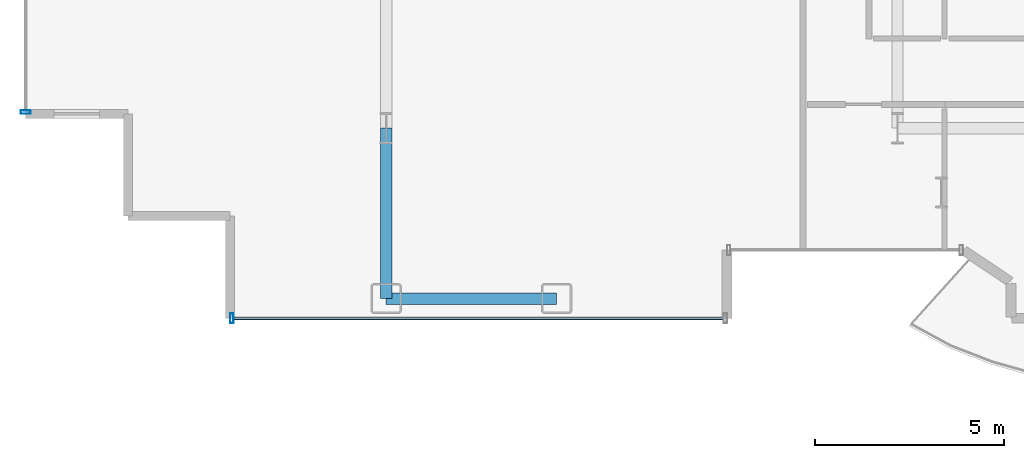
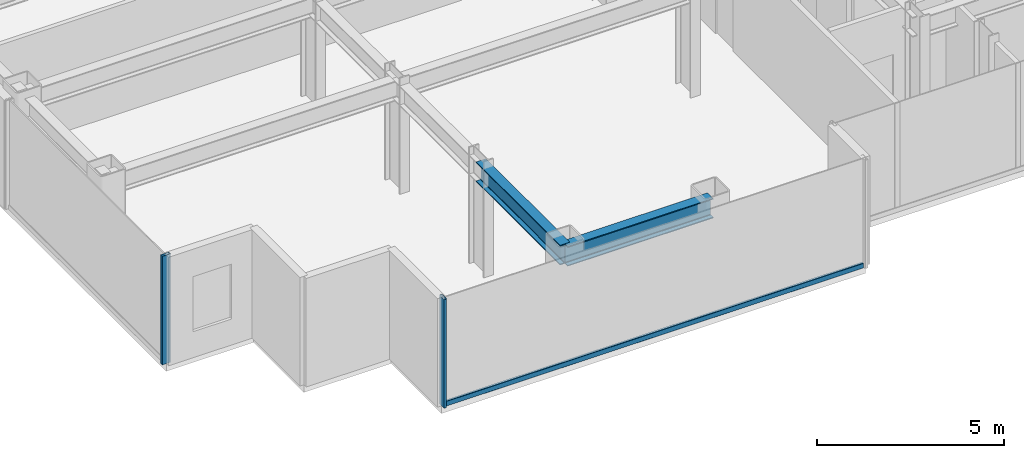
# One storey, part 3 of 25: 3 members, 2 beams, 2 elements without a shape of their own.
"""IFC4 building model written with IfcOpenShell, lengths in metres."""

from ifc_helpers import new_model, si_unit, direction, frame, origin, origin_2d, place, context, subcontext, project, spatial, hollow_rectangle, i_section, extrude, source, transform, mapped, material, layer, layer_set, material_profile, profile_set, type_object, element, aggregate, save


model = new_model("IFC4")

# Units and contexts
model_context = context("Model", 3, precision=1e-05, world=origin(), true_north=direction((0.0, 1.0)))
body_context = subcontext(model_context, "Body", "Model", "MODEL_VIEW")
ifc_project = project(units=[si_unit("LENGTHUNIT", "METRE"), si_unit("AREAUNIT", "SQUARE_METRE"), si_unit("VOLUMEUNIT", "CUBIC_METRE"), si_unit("PLANEANGLEUNIT", "RADIAN"), si_unit("MASSUNIT", "GRAM", prefix="KILO")], contexts=[model_context])

# Site, building, storey
site_placement = place(None, origin())
site = spatial("IfcSite", under=ifc_project, at=site_placement, CompositionType="ELEMENT")
building_placement = place(site_placement, origin())
building = spatial("IfcBuilding", under=site, at=building_placement, Name="Nefas-Gora Pilgrimage Tower", CompositionType="ELEMENT")
storey_placement = place(building_placement, frame((0.0, 0.0, 194.39990234375)))
storey = spatial("IfcBuildingStorey", under=building, at=storey_placement, Name="L48", CompositionType="ELEMENT", Elevation=194.39990234375)

# Beams
ifc_material_1 = material(Name="Steel S355", Category="steel")
ifc_material_profile_1 = material_profile(ifc_material_1, i_section(OverallWidth=0.300048828125, OverallDepth=0.64990234375, WebThickness=0.01611328125, FlangeThickness=0.031005859375, FilletRadius=0.027099609375, at=origin_2d()), Name="HEB 650")
ifc_profile_set_1 = profile_set([ifc_material_profile_1], Name="Steel S355")
beam_type_1 = type_object("IfcBeamType", Name="BM-SPN-HEB500", PredefinedType="SPANDREL", material=ifc_profile_set_1)
shared_shape_1 = source(origin(), body_context, "Body", "SweptSolid", [
    extrude(i_section(OverallWidth=0.300048828125, OverallDepth=0.64990234375, WebThickness=0.01611328125, FlangeThickness=0.031005859375, FilletRadius=0.027099609375, at=origin_2d()), origin(), (0.0, 0.0, 1.0), 4.5),
])
beam_1_placement = place(storey_placement, frame((-24.75, -22.5, 3.22509765625), z_axis=(1.0, 0.0, 0.0), x_axis=(0.0, 1.0, 0.0)))
element("IfcBeam", 1, at=beam_1_placement, inside=storey, type_object=beam_type_1, Name="L48 SP-02 beam", PredefinedType="SPANDREL", context=body_context, shape_type="MappedRepresentation", body=[
    mapped(shared_shape_1, transform((0.0, 0.0, 0.0), x_axis=(1.0, 0.0, 0.0), y_axis=(0.0, 1.0, 0.0), z_axis=(0.0, 0.0, 1.0), scale=1.0)),
])
ifc_material_profile_2 = material_profile(ifc_material_1, i_section(OverallWidth=0.300048828125, OverallDepth=0.64990234375, WebThickness=0.01611328125, FlangeThickness=0.031005859375, FilletRadius=0.027099609375, at=origin_2d()), Name="HEB 650")
ifc_profile_set_2 = profile_set([ifc_material_profile_2], Name="Steel S355")
beam_type_2 = type_object("IfcBeamType", Name="BM-GIR-HEB650", PredefinedType="BEAM", material=ifc_profile_set_2)
shared_shape_2 = source(origin(), body_context, "Body", "SweptSolid", [
    extrude(i_section(OverallWidth=0.300048828125, OverallDepth=0.64990234375, WebThickness=0.01611328125, FlangeThickness=0.031005859375, FilletRadius=0.027099609375, at=origin_2d()), origin(), (0.0, 0.0, 1.0), 4.5),
])
beam_2_placement = place(storey_placement, frame((-24.75, -22.5, 3.22509765625), z_axis=(0.0, 1.0, 0.0), x_axis=(-1.0, 0.0, 0.0)))
element("IfcBeam", 2, at=beam_2_placement, inside=storey, type_object=beam_type_2, Name="L48 G-03 beam", PredefinedType="BEAM", context=body_context, shape_type="MappedRepresentation", body=[
    mapped(shared_shape_2, transform((0.0, 0.0, 0.0), x_axis=(1.0, 0.0, 0.0), y_axis=(0.0, 1.0, 0.0), z_axis=(0.0, 0.0, 1.0), scale=1.0)),
])

# Curtain wall, member
ifc_material_2 = material(Name="Dark ceramic-fritted solar-control aluminium-glass curtain wall", Category="aluminium")
ifc_layer = layer(ifc_material_2, 0.219970703125)
ifc_layer_set = layer_set([ifc_layer], Name="Dark ceramic-fritted solar-control aluminium-glass curtain wall")
curtain_wall_type = type_object("IfcCurtainWallType", Name="CW-SYS-3", PredefinedType="NOTDEFINED", material=ifc_layer_set)
curtain_wall_1_placement = place(storey_placement, origin())
curtain_wall_1 = element("IfcCurtainWall", 3, at=curtain_wall_1_placement, inside=storey, type_object=curtain_wall_type, Name="L48 Unitised Curtain Wall CW3", PredefinedType="NOTDEFINED")
ifc_material_3 = material(Name="Anodised architectural aluminium", Category="aluminium")
ifc_material_profile_3 = material_profile(ifc_material_3, hollow_rectangle(XDim=0.090087890625, YDim=0.260009765625, WallThickness=0.006103515625, InnerFilletRadius=0.006103515625, OuterFilletRadius=0.011962890625, at=origin_2d()), Name="ALU MULLION 90x260")
ifc_profile_set_3 = profile_set([ifc_material_profile_3], Name="Anodised architectural aluminium")
member_type_1 = type_object("IfcMemberType", Name="CWM-MUL-3", PredefinedType="MULLION", material=ifc_profile_set_3)
shared_shape_3 = source(origin(), body_context, "Body", "SweptSolid", [
    extrude(hollow_rectangle(XDim=0.090087890625, YDim=0.260009765625, WallThickness=0.006103515625, InnerFilletRadius=0.006103515625, OuterFilletRadius=0.011962890625, at=origin_2d()), origin(), (0.0, 0.0, 1.0), 3.550048828125),
])
member_1_placement = place(storey_placement, frame((-34.27001953125, -17.574951171875, 0.0), z_axis=(0.0, 0.0, 1.0), x_axis=(0.0, -1.0, 0.0)))
member_1 = element("IfcMember", 4, at=member_1_placement, type_object=member_type_1, Name="CW3 Mullion 2", PredefinedType="MULLION", context=body_context, shape_type="MappedRepresentation", body=[
    mapped(shared_shape_3, transform((0.0, 0.0, 0.0), x_axis=(1.0, 0.0, 0.0), y_axis=(0.0, 1.0, 0.0), z_axis=(0.0, 0.0, 1.0), scale=1.0)),
])
aggregate(curtain_wall_1, [member_1])

# Curtain wall, members
curtain_wall_2_placement = place(storey_placement, origin())
curtain_wall_2 = element("IfcCurtainWall", 5, at=curtain_wall_2_placement, inside=storey, type_object=curtain_wall_type, Name="L48 Unitised Curtain Wall CW3", PredefinedType="NOTDEFINED")
member_2_placement = place(storey_placement, frame((-28.824951171875, -23.02001953125, 0.0), z_axis=(0.0, 0.0, 1.0), x_axis=(1.0, 0.0, 0.0)))
member_2 = element("IfcMember", 6, at=member_2_placement, type_object=member_type_1, Name="CW3 Mullion 1", PredefinedType="MULLION", context=body_context, shape_type="MappedRepresentation", body=[
    mapped(shared_shape_3, transform((0.0, 0.0, 0.0), x_axis=(1.0, 0.0, 0.0), y_axis=(0.0, 1.0, 0.0), z_axis=(0.0, 0.0, 1.0), scale=1.0)),
])
ifc_material_profile_4 = material_profile(ifc_material_3, hollow_rectangle(XDim=0.080078125, YDim=0.159912109375, WallThickness=0.00439453125, InnerFilletRadius=0.00439453125, OuterFilletRadius=0.009033203125, at=origin_2d()), Name="ALU TRANSOM 80x160")
ifc_profile_set_4 = profile_set([ifc_material_profile_4], Name="Anodised architectural aluminium")
member_type_2 = type_object("IfcMemberType", Name="CWM-TRN-3", PredefinedType="USERDEFINED", material=ifc_profile_set_4)
shared_shape_4 = source(origin(), body_context, "Body", "SweptSolid", [
    extrude(hollow_rectangle(XDim=0.080078125, YDim=0.159912109375, WallThickness=0.00439453125, InnerFilletRadius=0.00439453125, OuterFilletRadius=0.009033203125, at=origin_2d()), origin(), (0.0, 0.0, 1.0), 12.93994140625),
])
member_3_placement = place(storey_placement, frame((-28.780029296875, -23.02001953125, 0.050048828125), z_axis=(1.0, 0.0, 0.0), x_axis=(0.0, 1.0, 0.0)))
member_3 = element("IfcMember", 7, at=member_3_placement, type_object=member_type_2, Name="CW3 Spandrel Transom", ObjectType="TRANSOM", PredefinedType="USERDEFINED", context=body_context, shape_type="MappedRepresentation", body=[
    mapped(shared_shape_4, transform((0.0, 0.0, 0.0), x_axis=(1.0, 0.0, 0.0), y_axis=(0.0, 1.0, 0.0), z_axis=(0.0, 0.0, 1.0), scale=1.0)),
])
aggregate(curtain_wall_2, [member_2, member_3])

save(model, "model.ifc")
